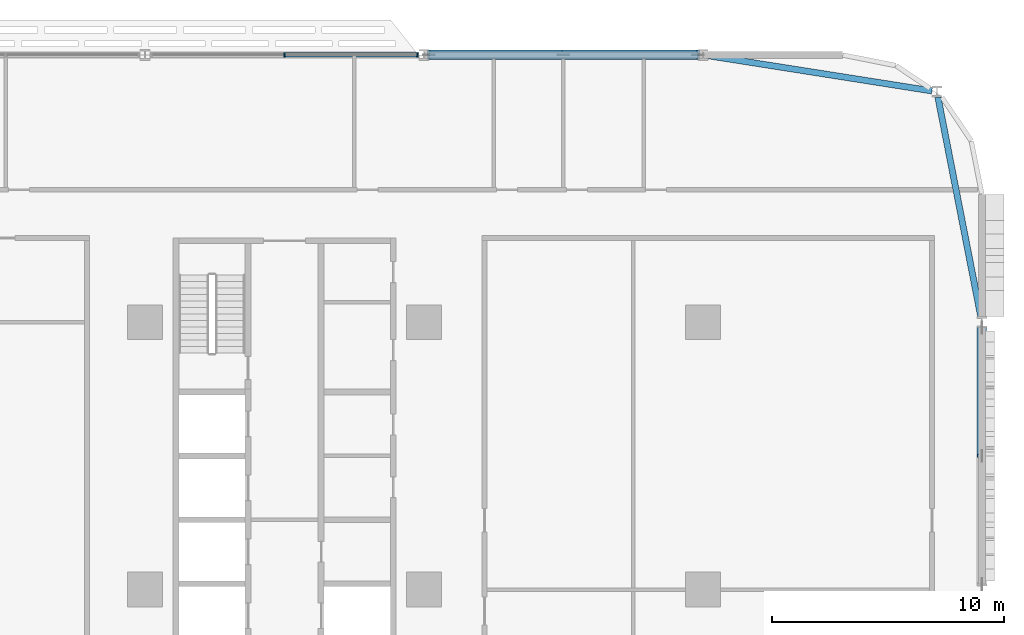
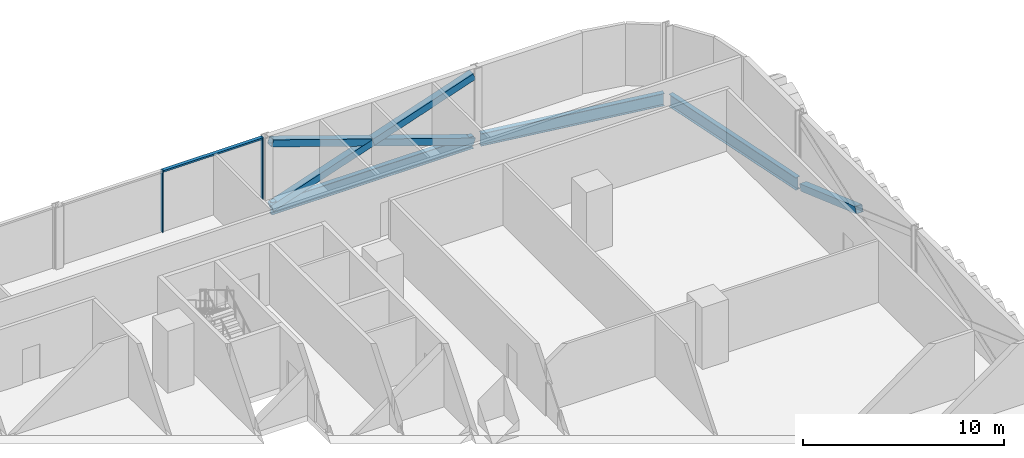
# One storey, part 10 of 29: 7 members, 3 beams, 1 element without a shape of its own.
"""IFC4 building model written with IfcOpenShell, lengths in metres."""

from ifc_helpers import new_model, si_unit, direction, frame, origin, origin_2d, place, context, subcontext, project, spatial, rectangle, hollow_rectangle, i_section, extrude, material, material_profile, profile_set, type_object, element, aggregate, save


model = new_model("IFC4")

# Units and contexts
model_context = context("Model", 3, precision=1e-05, world=origin(), true_north=direction((0.0, 1.0)))
body_context = subcontext(model_context, "Body", "Model", "MODEL_VIEW")
ifc_project = project(units=[si_unit("LENGTHUNIT", "METRE"), si_unit("AREAUNIT", "SQUARE_METRE"), si_unit("VOLUMEUNIT", "CUBIC_METRE"), si_unit("PLANEANGLEUNIT", "RADIAN"), si_unit("MASSUNIT", "GRAM", prefix="KILO")], contexts=[model_context])

# Site, building, storey
site_placement = place(None, origin())
site = spatial("IfcSite", under=ifc_project, at=site_placement, CompositionType="ELEMENT")
building_placement = place(site_placement, origin())
building = spatial("IfcBuilding", under=site, at=building_placement, Name="Mahtab Terrace Research Tower", CompositionType="ELEMENT")
storey_placement = place(building_placement, frame((0.0, 0.0, 76.10009765625)))
storey = spatial("IfcBuildingStorey", under=building, at=storey_placement, Name="L17", CompositionType="ELEMENT", Elevation=76.10009765625)

# Members
ifc_material_1 = material(Name="Steel ASTM A500 Gr C", Category="steel")
ifc_material_profile_1 = material_profile(ifc_material_1, hollow_rectangle(XDim=0.406494140625, YDim=0.406494140625, WallThickness=0.01904296875, at=origin_2d()), Name="HSS16X16X3/4")
ifc_profile_set_1 = profile_set([ifc_material_profile_1], Name="Steel ASTM A500 Gr C")
member_type_1 = type_object("IfcMemberType", Name="HSS 16x16x3/4 brace XB161634", PredefinedType="BRACE", material=ifc_profile_set_1)
member_1_placement = place(storey_placement, frame((41.787841796875, 23.0, -0.646240234375), z_axis=(-0.946533742382, 0.0, 0.322604827201), x_axis=(0.0, -1.0, 0.0)))
element("IfcMember", 1, at=member_1_placement, inside=storey, type_object=member_type_1, Name="Exoskeleton brace L17 02 a", PredefinedType="BRACE", context=body_context, shape_type="SweptSolid", body=[
    extrude(hollow_rectangle(XDim=0.406494140625, YDim=0.406494140625, WallThickness=0.01904296875, at=origin_2d()), origin(), (0.0, 0.0, 1.0), 12.2294921875),
])
for number, where, z_axis, x_axis, name in (
    (2, (30.212158203125, 23.0, -0.646240234375), (0.946533742382, 0.0, 0.322604827201), (0.0, 1.0, 0.0), "Exoskeleton brace L17 02 b1"),
    (3, (36.0, 23.0, 1.326416015625), (0.946533742382, 0.0, 0.322604827201), (0.0, 1.0, 0.0), "Exoskeleton brace L17 02 b2"),
):
    element("IfcMember", number, at=place(storey_placement, frame(where, z_axis=z_axis, x_axis=x_axis)), inside=storey, type_object=member_type_1, Name=name, PredefinedType="BRACE", context=body_context, shape_type="SweptSolid", body=[
        extrude(hollow_rectangle(XDim=0.406494140625, YDim=0.406494140625, WallThickness=0.01904296875, at=origin_2d()), origin(), (0.0, 0.0, 1.0), 6.11474609375),
    ])
member_2_placement = place(storey_placement, frame((54.0, 11.262451171875, -0.634033203125), z_axis=(0.0, -0.942189515098, 0.335080464424), x_axis=(1.0, 0.0, 0.0)))
element("IfcMember", 4, at=member_2_placement, inside=storey, type_object=member_type_1, Name="Exoskeleton brace L17 23 b1", PredefinedType="BRACE", context=body_context, shape_type="SweptSolid", body=[
    extrude(hollow_rectangle(XDim=0.406494140625, YDim=0.406494140625, WallThickness=0.01904296875, at=origin_2d()), origin(), (0.0, 0.0, 1.0), 5.8505859375),
])

# Curtain wall, members
ifc_material_2 = material(Name="Laboratory ribbon curtain wall")
curtain_wall_type = type_object("IfcCurtainWallType", Name="Laboratory ribbon curtain wall", PredefinedType="NOTDEFINED", material=ifc_material_2)
curtain_wall_placement = place(storey_placement, origin())
curtain_wall = element("IfcCurtainWall", 5, at=curtain_wall_placement, inside=storey, type_object=curtain_wall_type, Name="EN.L17.3.5", PredefinedType="NOTDEFINED")
ifc_material_3 = material(Name="Natural anodised aluminium", Category="aluminium")
ifc_material_profile_2 = material_profile(ifc_material_3, rectangle(XDim=0.199951171875, YDim=0.06494140625, at=origin_2d()), Name="MULLION 65x200")
ifc_profile_set_2 = profile_set([ifc_material_profile_2], Name="Natural anodised aluminium")
member_type_2 = type_object("IfcMemberType", Name="Laboratory ribbon curtain wall mullion", PredefinedType="MULLION", material=ifc_profile_set_2)
member_3_placement = place(storey_placement, frame((29.7294921875, 23.0, 0.0), z_axis=(0.0, 0.0, 1.0), x_axis=(0.0, -1.0, 0.0)))
member_3 = element("IfcMember", 6, at=member_3_placement, type_object=member_type_2, Name="CWL-2 mullion 1", PredefinedType="MULLION", context=body_context, shape_type="SweptSolid", body=[
    extrude(rectangle(XDim=0.199951171875, YDim=0.06494140625, at=origin_2d()), origin(), (0.0, 0.0, 1.0), 3.75),
])
member_4_placement = place(storey_placement, frame((24.0, 23.0, 0.0), z_axis=(0.0, 0.0, 1.0), x_axis=(0.0, -1.0, 0.0)))
member_4 = element("IfcMember", 7, at=member_4_placement, type_object=member_type_2, Name="CWL-2 mullion 2", PredefinedType="MULLION", context=body_context, shape_type="SweptSolid", body=[
    extrude(rectangle(XDim=0.199951171875, YDim=0.06494140625, at=origin_2d()), origin(), (0.0, 0.0, 1.0), 3.75),
])
ifc_material_profile_3 = material_profile(ifc_material_3, rectangle(XDim=0.199951171875, YDim=0.10009765625, at=origin_2d()), Name="TRANSOM 100x200")
ifc_profile_set_3 = profile_set([ifc_material_profile_3], Name="Natural anodised aluminium")
member_type_3 = type_object("IfcMemberType", Name="Laboratory ribbon curtain wall transom", PredefinedType="USERDEFINED", material=ifc_profile_set_3)
member_5_placement = place(storey_placement, frame((29.697021484375, 23.0, 3.699951171875), z_axis=(-1.0, 0.0, 0.0), x_axis=(0.0, -1.0, 0.0)))
member_5 = element("IfcMember", 8, at=member_5_placement, type_object=member_type_3, Name="CWL-2 transom 1", ObjectType="TRANSOM", PredefinedType="USERDEFINED", context=body_context, shape_type="SweptSolid", body=[
    extrude(rectangle(XDim=0.199951171875, YDim=0.10009765625, at=origin_2d()), origin(), (0.0, 0.0, 1.0), 5.66455078125),
])
aggregate(curtain_wall, [member_3, member_4, member_5])

# Beams
ifc_material_4 = material(Name="Steel ASTM A992 Gr 50", Category="steel")
ifc_material_profile_4 = material_profile(ifc_material_4, i_section(OverallWidth=0.2666015625, OverallDepth=0.7568359375, WebThickness=0.013916015625, FlangeThickness=0.019287109375, at=origin_2d()), Name="W30X108")
ifc_profile_set_4 = profile_set([ifc_material_profile_4], Name="Steel ASTM A992 Gr 50")
beam_type = type_object("IfcBeamType", Name="W30x108 beam BS30108", PredefinedType="BEAM", material=ifc_profile_set_4)
beam_1_placement = place(storey_placement, frame((51.849853515625, 21.449462890625, -0.718505859375), z_axis=(-0.987836303792, 0.155497385545, 0.0), x_axis=(-0.155497385545, -0.987836303792, 0.0)))
element("IfcBeam", 9, at=beam_1_placement, inside=storey, type_object=beam_type, Name="Spandrel beam L17 01", PredefinedType="BEAM", context=body_context, shape_type="SweptSolid", body=[
    extrude(i_section(OverallWidth=0.2666015625, OverallDepth=0.7568359375, WebThickness=0.013916015625, FlangeThickness=0.019287109375, at=origin_2d()), origin(), (0.0, 0.0, 1.0), 9.75634765625),
])
beam_2_placement = place(storey_placement, frame((41.787841796875, 23.0, -0.718505859375), z_axis=(-1.0, 0.0, 0.0), x_axis=(0.0, -1.0, 0.0)))
element("IfcBeam", 10, at=beam_2_placement, inside=storey, type_object=beam_type, Name="Spandrel beam L17 02", PredefinedType="BEAM", context=body_context, shape_type="SweptSolid", body=[
    extrude(i_section(OverallWidth=0.2666015625, OverallDepth=0.7568359375, WebThickness=0.013916015625, FlangeThickness=0.019287109375, at=origin_2d()), origin(), (0.0, 0.0, 1.0), 11.57568359375),
])
beam_3_placement = place(storey_placement, frame((53.95361328125, 11.737548828125, -0.718505859375), z_axis=(-0.191819239661, 0.981430272254, 0.0), x_axis=(-0.981430272254, -0.191819239661, 0.0)))
element("IfcBeam", 11, at=beam_3_placement, inside=storey, type_object=beam_type, Name="Spandrel beam L17 24", PredefinedType="BEAM", context=body_context, shape_type="SweptSolid", body=[
    extrude(i_section(OverallWidth=0.2666015625, OverallDepth=0.7568359375, WebThickness=0.013916015625, FlangeThickness=0.019287109375, at=origin_2d()), origin(), (0.0, 0.0, 1.0), 9.61962890625),
])

save(model, "model.ifc")
